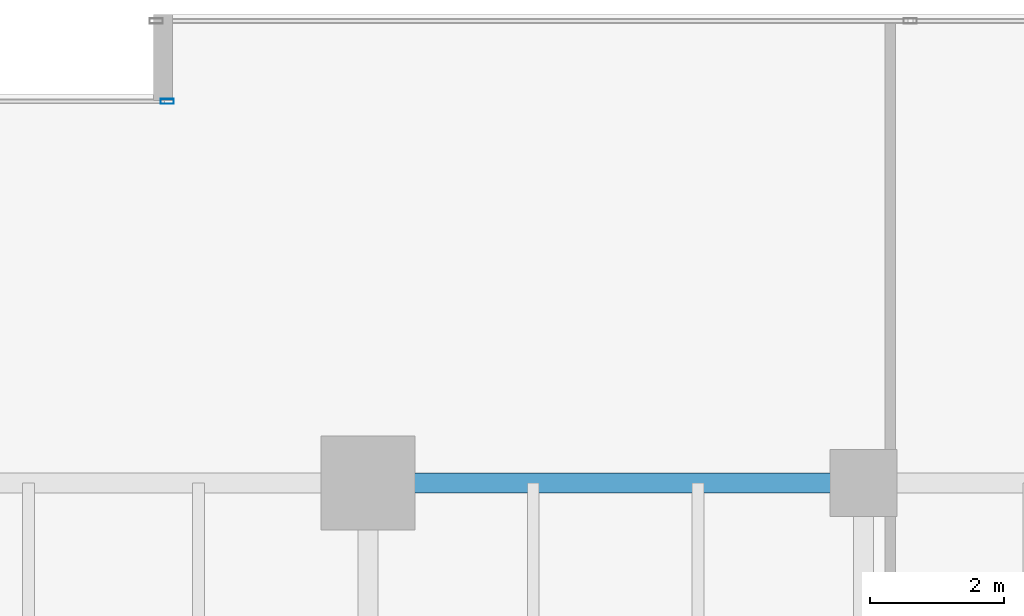
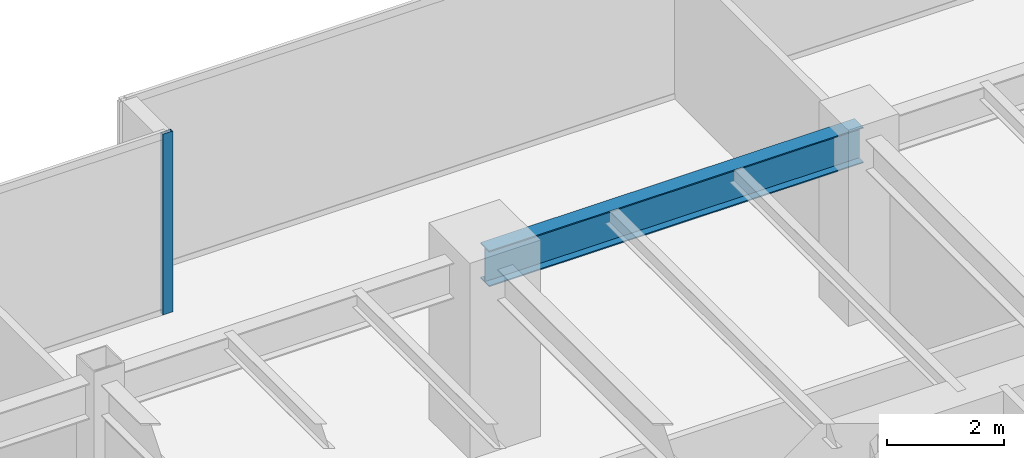
# One storey, part 20 of 35: 1 beam, 1 member, 1 element without a shape of its own.
"""IFC4 building model written with IfcOpenShell, lengths in metres."""

import ifcopenshell
import ifcopenshell.guid

model = None  # the IFC model being written
_history = None  # IfcOwnerHistory: only IFC2X3 demands one
_inside = {}  # id of a spatial element -> (the spatial element, [elements in it])
_under = {}  # id of a project, library or spatial element -> (it, [spatial elements below it])
_declared = {}  # id of a project -> (the project, [libraries it declares])
_typed = {}  # id of a type object -> (the type object, [elements of that type])
_made_of = {}  # id of a material, layer set ... -> (it, [elements and type objects made of it])


def new_model(schema):
    """Start an empty IFC model of exactly this schema.

    Asked for "IFC4X3", IfcOpenShell would pick the latest addendum, in which some entities
    have other attributes; the version numbers below select the first issue.
    IFC2X3 requires an IfcOwnerHistory on every rooted entity: one is made here for all.
    """
    global model, _history
    if schema == "IFC4X3":
        model = ifcopenshell.file(schema_version=(4, 3, 0, 0))
    else:
        model = ifcopenshell.file(schema=schema)
    _inside.clear()
    _under.clear()
    _declared.clear()
    _typed.clear()
    _made_of.clear()
    _history = None
    if model.schema == "IFC2X3":
        org = make("IfcOrganization", Name="unknown")
        user = make(
            "IfcPersonAndOrganization",
            ThePerson=make("IfcPerson", FamilyName="unknown"),
            TheOrganization=org,
        )
        app = make(
            "IfcApplication",
            ApplicationDeveloper=org,
            Version="unknown",
            ApplicationFullName="unknown",
            ApplicationIdentifier="unknown",
        )
        _history = make(
            "IfcOwnerHistory",
            OwningUser=user,
            OwningApplication=app,
            ChangeAction="ADDED",
            CreationDate=0,
        )
    return model


def make(cls, **values):
    """One entity of the class cls with the attributes given. An attribute that is None is left unset."""
    return model.create_entity(
        cls, **{name: value for name, value in values.items() if value is not None}
    )


def rooted(cls, **values):
    """An entity with a GlobalId (a new one), such as an element, a storey or a relation."""
    return make(cls, GlobalId=ifcopenshell.guid.new(), OwnerHistory=_history, **values)


def si_unit(unit_type, name, prefix=None):
    """IfcSIUnit, for example si_unit("LENGTHUNIT", "METRE", prefix="MILLI")."""
    return make("IfcSIUnit", UnitType=unit_type, Prefix=prefix, Name=name)


def assignment(units):
    """IfcUnitAssignment: the units of a project."""
    return None if units is None else make("IfcUnitAssignment", Units=units)


def point(xyz):
    """IfcCartesianPoint."""
    return None if xyz is None else make("IfcCartesianPoint", Coordinates=xyz)


def direction(xyz):
    """IfcDirection."""
    return None if xyz is None else make("IfcDirection", DirectionRatios=xyz)


def frame(location, z_axis=None, x_axis=None):
    """IfcAxis2Placement3D, a coordinate frame: its origin and axes. An axis left out is left unset."""
    return make(
        "IfcAxis2Placement3D",
        Location=point(location),
        Axis=direction(z_axis),
        RefDirection=direction(x_axis),
    )


def frame_2d(location, x_axis=None):
    """IfcAxis2Placement2D, a coordinate frame in the plane: its origin and x axis."""
    return make(
        "IfcAxis2Placement2D", Location=point(location), RefDirection=direction(x_axis)
    )


def origin():
    """The frame at (0, 0, 0) with its axes left unset."""
    return frame((0.0, 0.0, 0.0))


def origin_2d():
    """The frame at (0, 0) in the plane with its x axis left unset."""
    return frame_2d((0.0, 0.0))


def place(relative_to, where):
    """IfcLocalPlacement: puts the frame where relative to a parent placement (None: the world)."""
    return make(
        "IfcLocalPlacement", PlacementRelTo=relative_to, RelativePlacement=where
    )


def context(
    kind, dimensions, precision=None, world=None, true_north=None, identifier=None
):
    """IfcGeometricRepresentationContext, for example the 3D "Model" context."""
    return make(
        "IfcGeometricRepresentationContext",
        ContextIdentifier=identifier,
        ContextType=kind,
        CoordinateSpaceDimension=dimensions,
        Precision=precision,
        WorldCoordinateSystem=world,
        TrueNorth=true_north,
    )


def subcontext(parent, identifier, kind, view, scale=None):
    """IfcGeometricRepresentationSubContext, for example "Body" below "Model"."""
    return make(
        "IfcGeometricRepresentationSubContext",
        ContextIdentifier=identifier,
        ContextType=kind,
        ParentContext=parent,
        TargetScale=scale,
        TargetView=view,
    )


def project(units=None, contexts=None):
    """IfcProject with its units and contexts."""
    return rooted(
        "IfcProject",
        Name="project",
        RepresentationContexts=contexts,
        UnitsInContext=assignment(units),
    )


def spatial(cls, under=None, at=None, **own):
    """A site, building, storey or space (cls), placed at a placement, below another one or the project."""
    s = rooted(cls, ObjectPlacement=at, **own)
    if under is not None:
        _under.setdefault(under.id(), (under, []))[1].append(s)
    return s


def profile(cls, at=None, kind="AREA", **sizes):
    """A parametric profile (cls). Its sizes go by their IFC names, for example OverallWidth=200.0."""
    return make(cls, ProfileType=kind, Position=at, **sizes)


def hollow_rectangle(**sizes):
    """IfcRectangleHollowProfileDef."""
    return profile("IfcRectangleHollowProfileDef", **sizes)


def i_section(**sizes):
    """IfcIShapeProfileDef."""
    return profile("IfcIShapeProfileDef", **sizes)


def extrude(swept, where, along, depth):
    """IfcExtrudedAreaSolid: the profile swept, set in the frame where, extruded along a direction by depth."""
    return make(
        "IfcExtrudedAreaSolid",
        SweptArea=swept,
        Position=where,
        ExtrudedDirection=direction(along),
        Depth=depth,
    )


def shape(context_of_items, identifier, shape_type, items):
    """IfcShapeRepresentation: the items that make up one representation, for example the "Body"."""
    return make(
        "IfcShapeRepresentation",
        ContextOfItems=context_of_items,
        RepresentationIdentifier=identifier,
        RepresentationType=shape_type,
        Items=items,
    )


def source(mapping_origin, context_of_items, identifier, shape_type, items):
    """IfcRepresentationMap: a shape defined once, which mapped items show again and again."""
    return make(
        "IfcRepresentationMap",
        MappingOrigin=mapping_origin,
        MappedRepresentation=shape(context_of_items, identifier, shape_type, items),
    )


def transform(
    local_origin,
    x_axis=None,
    y_axis=None,
    z_axis=None,
    scale=None,
    scale2=None,
    scale3=None,
    uniform=True,
):
    """IfcCartesianTransformationOperator3D, or its non-uniform kind. x_axis, y_axis, z_axis: its Axis1, 2, 3."""
    if uniform:
        return make(
            "IfcCartesianTransformationOperator3D",
            Axis1=direction(x_axis),
            Axis2=direction(y_axis),
            LocalOrigin=point(local_origin),
            Scale=scale,
            Axis3=direction(z_axis),
        )
    return make(
        "IfcCartesianTransformationOperator3DnonUniform",
        Axis1=direction(x_axis),
        Axis2=direction(y_axis),
        LocalOrigin=point(local_origin),
        Scale=scale,
        Axis3=direction(z_axis),
        Scale2=scale2,
        Scale3=scale3,
    )


def mapped(mapping_source, mapping_target):
    """IfcMappedItem: shows the shape of a source again, moved by a transform."""
    return make(
        "IfcMappedItem", MappingSource=mapping_source, MappingTarget=mapping_target
    )


def material(Name=None, Category=None):
    """IfcMaterial."""
    return make("IfcMaterial", Name=Name, Category=Category)


def layer(
    of_material, thickness, ventilated=None, Name=None, Category=None, Priority=None
):
    """IfcMaterialLayer: one layer of a wall or slab, of a material (None: an air gap)."""
    return make(
        "IfcMaterialLayer",
        Material=of_material,
        LayerThickness=thickness,
        IsVentilated=ventilated,
        Name=Name,
        Category=Category,
        Priority=Priority,
    )


def layer_set(layers, Name=None):
    """IfcMaterialLayerSet."""
    return make("IfcMaterialLayerSet", MaterialLayers=layers, LayerSetName=Name)


def material_profile(
    of_material, cross_section, Name=None, Category=None, Priority=None
):
    """IfcMaterialProfile: a cross section and its material."""
    return make(
        "IfcMaterialProfile",
        Name=Name,
        Material=of_material,
        Profile=cross_section,
        Priority=Priority,
        Category=Category,
    )


def profile_set(profiles, Name=None, composite=None):
    """IfcMaterialProfileSet."""
    return make(
        "IfcMaterialProfileSet",
        Name=Name,
        MaterialProfiles=profiles,
        CompositeProfile=composite,
    )


def made_of(thing, what):
    """Note that an element or type object is made of a material, layer set ...; save() writes the relation."""
    if what is not None:
        _made_of.setdefault(what.id(), (what, []))[1].append(thing)
    return thing


def type_object(cls, material=None, **own):
    """A type object (cls), such as IfcWallType, which elements share."""
    return made_of(rooted(cls, **own), material)


def type_shapes(of_type, sources):
    """Give a type object the sources (RepresentationMaps) that its elements show as mapped items."""
    of_type.RepresentationMaps = sources


def element(
    cls,
    number,
    at=None,
    inside=None,
    cuts=None,
    type_object=None,
    material=None,
    context=None,
    identifier="Body",
    shape_type=None,
    held_by="IfcProductDefinitionShape",
    body=None,
    shapes=None,
    **own,
):
    """One element of the class cls, such as IfcWall. Its Tag is "e" and its number.

    at: its placement. inside: the storey or other place that contains it. cuts: it is an
    opening in that element (IfcRelVoidsElement). A single representation is given by context,
    identifier, shape_type and body (its items); several are given by shapes. held_by: the class
    of the entity that holds the representations. save() writes the other relations.
    """
    e = rooted(cls, Tag="e%d" % number, ObjectPlacement=at, **own)
    if body is not None:
        shapes = [shape(context, identifier, shape_type, body)]
    if shapes is not None:
        e.Representation = make(held_by, Representations=shapes)
    if inside is not None:
        _inside.setdefault(inside.id(), (inside, []))[1].append(e)
    if cuts is not None:
        rooted(
            "IfcRelVoidsElement", RelatingBuildingElement=cuts, RelatedOpeningElement=e
        )
    if type_object is not None:
        _typed.setdefault(type_object.id(), (type_object, []))[1].append(e)
    return made_of(e, material)


def aggregate(whole, parts):
    """IfcRelAggregates: a whole, such as a stair, and the parts it consists of."""
    return rooted("IfcRelAggregates", RelatingObject=whole, RelatedObjects=parts)


def save(model, path):
    """Write the relations noted so far, then the file.

    IfcRelAggregates (storeys below a building ...), IfcRelContainedInSpatialStructure (elements
    in a storey), IfcRelDefinesByType, IfcRelAssociatesMaterial and IfcRelDeclares: one each for
    every whole, place, type object, material and project.
    """
    for whole, parts in _under.values():
        aggregate(whole, parts)
    for where, things in _inside.values():
        rooted(
            "IfcRelContainedInSpatialStructure",
            RelatedElements=things,
            RelatingStructure=where,
        )
    for kind, things in _typed.values():
        rooted("IfcRelDefinesByType", RelatedObjects=things, RelatingType=kind)
    for what, things in _made_of.values():
        rooted("IfcRelAssociatesMaterial", RelatedObjects=things, RelatingMaterial=what)
    for by, libraries in _declared.values():
        rooted("IfcRelDeclares", RelatingContext=by, RelatedDefinitions=libraries)
    model.write(path)


model = new_model("IFC4")

# Units and contexts
model_context = context("Model", 3, precision=1e-05, world=origin(), true_north=direction((0.0, 1.0)))
body_context = subcontext(model_context, "Body", "Model", "MODEL_VIEW")
ifc_project = project(units=[si_unit("LENGTHUNIT", "METRE"), si_unit("AREAUNIT", "SQUARE_METRE"), si_unit("VOLUMEUNIT", "CUBIC_METRE"), si_unit("PLANEANGLEUNIT", "RADIAN"), si_unit("MASSUNIT", "GRAM", prefix="KILO")], contexts=[model_context])

# Site, building, storey
site_placement = place(None, origin())
site = spatial("IfcSite", under=ifc_project, at=site_placement, CompositionType="ELEMENT")
building_placement = place(site_placement, origin())
building = spatial("IfcBuilding", under=site, at=building_placement, Name="Haelvirn Gate Laboratories", CompositionType="ELEMENT")
storey_placement = place(building_placement, frame((0.0, 0.0, 66.199951171875)))
storey = spatial("IfcBuildingStorey", under=building, at=storey_placement, Name="L16", CompositionType="ELEMENT", Elevation=66.199951171875)

# Beam
ifc_material_1 = material(Name="Steel SM355", Category="steel")
ifc_material_profile_1 = material_profile(ifc_material_1, i_section(OverallWidth=0.300048828125, OverallDepth=0.75, WebThickness=0.013916015625, FlangeThickness=0.02392578125, at=origin_2d()), Name="H-750x300x14x24")
ifc_profile_set_1 = profile_set([ifc_material_profile_1], Name="Steel SM355")
beam_type = type_object("IfcBeamType", Name="BM-G-750", PredefinedType="BEAM", material=ifc_profile_set_1)
shared_shape_1 = source(origin(), body_context, "Body", "SweptSolid", [
    extrude(i_section(OverallWidth=0.300048828125, OverallDepth=0.75, WebThickness=0.013916015625, FlangeThickness=0.02392578125, at=origin_2d()), origin(), (0.0, 0.0, 1.0), 7.39990234375),
])
type_shapes(beam_type, [shared_shape_1])
beam_placement = place(storey_placement, frame((52.60009765625, 41.60009765625, 3.405029296875), z_axis=(1.0, 0.0, 0.0), x_axis=(0.0, 1.0, 0.0)))
element("IfcBeam", 1, at=beam_placement, inside=storey, type_object=beam_type, Name="L16 Primary Girder Y41.6 (52.6-60.0)", PredefinedType="BEAM", context=body_context, shape_type="MappedRepresentation", body=[
    mapped(shared_shape_1, transform((0.0, 0.0, 0.0), scale=1.0)),
])

# Curtain wall, member
ifc_material_2 = material(Name="Anodised bronze unitised aluminium & triple low-E glass", Category="aluminium")
ifc_layer = layer(ifc_material_2, 0.18408203125, Name="CW-SYS-2")
ifc_layer_set = layer_set([ifc_layer], Name="Anodised bronze unitised aluminium & triple low-E glass")
curtain_wall_type = type_object("IfcCurtainWallType", Name="CW-SYS-2", PredefinedType="NOTDEFINED", material=ifc_layer_set)
curtain_wall_placement = place(storey_placement, origin())
curtain_wall = element("IfcCurtainWall", 2, at=curtain_wall_placement, inside=storey, type_object=curtain_wall_type, Name="L16 Unitised Curtain Wall CW-L16-P0-E12-1", PredefinedType="NOTDEFINED")
ifc_material_3 = material(Name="Extruded aluminium 6063-T6 (anodised bronze)", Category="aluminium")
ifc_material_profile_2 = material_profile(ifc_material_3, hollow_rectangle(XDim=0.074951171875, YDim=0.199951171875, WallThickness=0.0048828125, at=origin_2d()), Name="CWM-200x75x5")
ifc_profile_set_2 = profile_set([ifc_material_profile_2], Name="Extruded aluminium 6063-T6 (anodised bronze)")
member_type = type_object("IfcMemberType", Name="CWM-T200", PredefinedType="MULLION", material=ifc_profile_set_2)
shared_shape_2 = source(origin(), body_context, "Body", "SweptSolid", [
    extrude(hollow_rectangle(XDim=0.074951171875, YDim=0.199951171875, WallThickness=0.0048828125, at=origin_2d()), origin(), (0.0, 0.0, 1.0), 3.780029296875),
])
type_shapes(member_type, [shared_shape_2])
member_placement = place(storey_placement, frame((49.6025390625, 47.300048828125, 0.0), z_axis=(0.0, 0.0, 1.0), x_axis=(0.0, 1.0, 0.0)))
member = element("IfcMember", 3, at=member_placement, type_object=member_type, Name="CW2 mullion 3", PredefinedType="MULLION", context=body_context, shape_type="MappedRepresentation", body=[
    mapped(shared_shape_2, transform((0.0, 0.0, 0.0), scale=1.0)),
])
aggregate(curtain_wall, [member])

save(model, "model.ifc")
